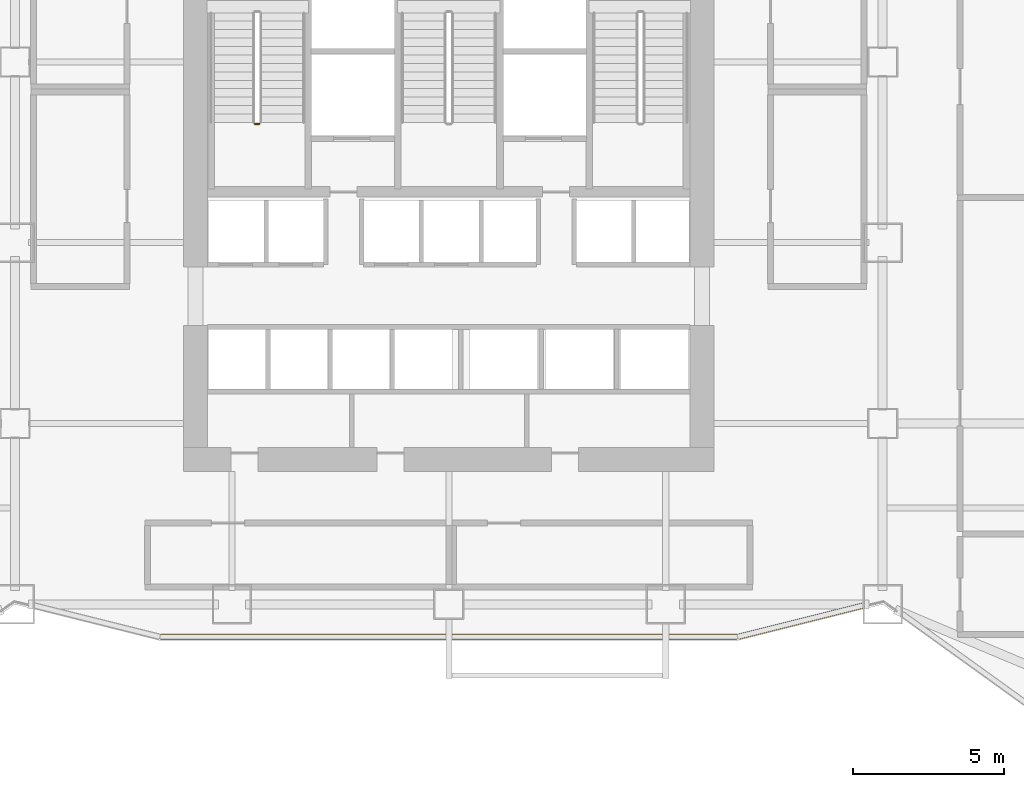
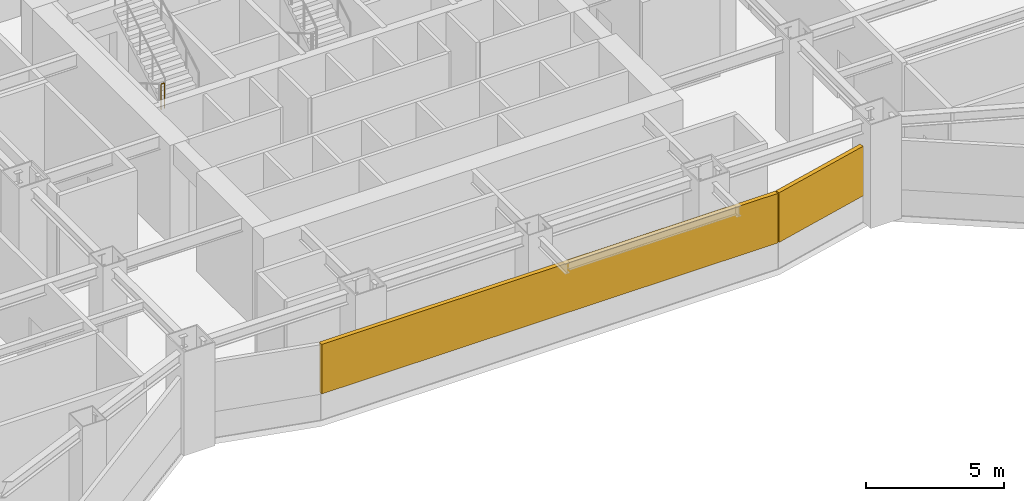
# One storey, part 7 of 12: 2 shading devices, 1 railing.
"""IFC4 building model written with IfcOpenShell, lengths in metres."""

from ifc_helpers import new_model, si_unit, direction, frame, origin, origin_2d, place, context, subcontext, project, spatial, rectangle, circle, extrude, material, type_object, element, save


model = new_model("IFC4")

# Units and contexts
model_context = context("Model", 3, precision=1e-05, world=origin(), true_north=direction((0.0, 1.0)))
body_context = subcontext(model_context, "Body", "Model", "MODEL_VIEW")
ifc_project = project(units=[si_unit("LENGTHUNIT", "METRE"), si_unit("AREAUNIT", "SQUARE_METRE"), si_unit("VOLUMEUNIT", "CUBIC_METRE"), si_unit("PLANEANGLEUNIT", "RADIAN"), si_unit("MASSUNIT", "GRAM", prefix="KILO")], contexts=[model_context])

# Site, building, storey
site_placement = place(None, origin())
site = spatial("IfcSite", under=ifc_project, at=site_placement, CompositionType="ELEMENT")
building_placement = place(site_placement, origin())
building = spatial("IfcBuilding", under=site, at=building_placement, Name="Haolan Belvedere Tower", CompositionType="ELEMENT")
storey_placement = place(building_placement, frame((0.0, 0.0, 43.0)))
storey = spatial("IfcBuildingStorey", under=building, at=storey_placement, Name="L10", CompositionType="ELEMENT", Elevation=43.0)

# Railing
ifc_material_1 = material(Name="Brushed stainless steel 304", Category="steel")
railing_type = type_object("IfcRailingType", Name="RL-STAIR-GRD-1150", PredefinedType="GUARDRAIL", material=ifc_material_1)
railing_placement = place(storey_placement, frame((31.969970703125, 37.5400390625, 2.300048828125)))
element("IfcRailing", 1, at=railing_placement, inside=storey, type_object=railing_type, Name="L10 ST1 stair guard 2", PredefinedType="GUARDRAIL", context=body_context, shape_type="SweptSolid", body=[
    extrude(circle(Radius=0.02392578125, at=origin_2d()), frame((0.0, 0.0, 1.1259765625), z_axis=(1.0, 0.0, 0.0), x_axis=(0.0, 1.0, 0.0)), (0.0, 0.0, 1.0), 0.14013671875),
    extrude(circle(Radius=0.02099609375, at=origin_2d()), origin(), (0.0, 0.0, 1.0), 1.101806640625),
    extrude(circle(Radius=0.02099609375, at=origin_2d()), frame((0.14013671875, 0.0, 0.0)), (0.0, 0.0, 1.0), 1.101806640625),
])

# Shading devices
ifc_material_2 = material(Name="Anodised champagne-silver aluminium 6063-T6", Category="aluminium")
shading_device_type = type_object("IfcShadingDeviceType", Name="SHD-LOUV-180", PredefinedType="JALOUSIE", material=ifc_material_2)
shading_device_1_placement = place(storey_placement, frame((38.39990234375, 20.52001953125, 1.14990234375), z_axis=(0.0, 0.0, 1.0), x_axis=(1.0, 0.0, 0.0)))
element("IfcShadingDevice", 2, at=shading_device_1_placement, inside=storey, type_object=shading_device_type, Name="L10 refuge storm-proof louvre bank 13.1", PredefinedType="JALOUSIE", context=body_context, shape_type="SweptSolid", body=[
    extrude(rectangle(XDim=19.13037109375, YDim=0.179931640625, at=origin_2d()), origin(), (0.0, 0.0, 1.0), 2.199951171875),
])
shading_device_2_placement = place(storey_placement, frame((50.071533203125, 21.04150390625, 1.14990234375), z_axis=(0.0, 0.0, 1.0), x_axis=(0.970143530747, 0.242531502591, 0.0)))
element("IfcShadingDevice", 3, at=shading_device_2_placement, inside=storey, type_object=shading_device_type, Name="L10 refuge storm-proof louvre bank 14.1", PredefinedType="JALOUSIE", context=body_context, shape_type="SweptSolid", body=[
    extrude(rectangle(XDim=4.26123046875, YDim=0.179931640625, at=origin_2d()), origin(), (0.0, 0.0, 1.0), 2.199951171875),
])

save(model, "model.ifc")
